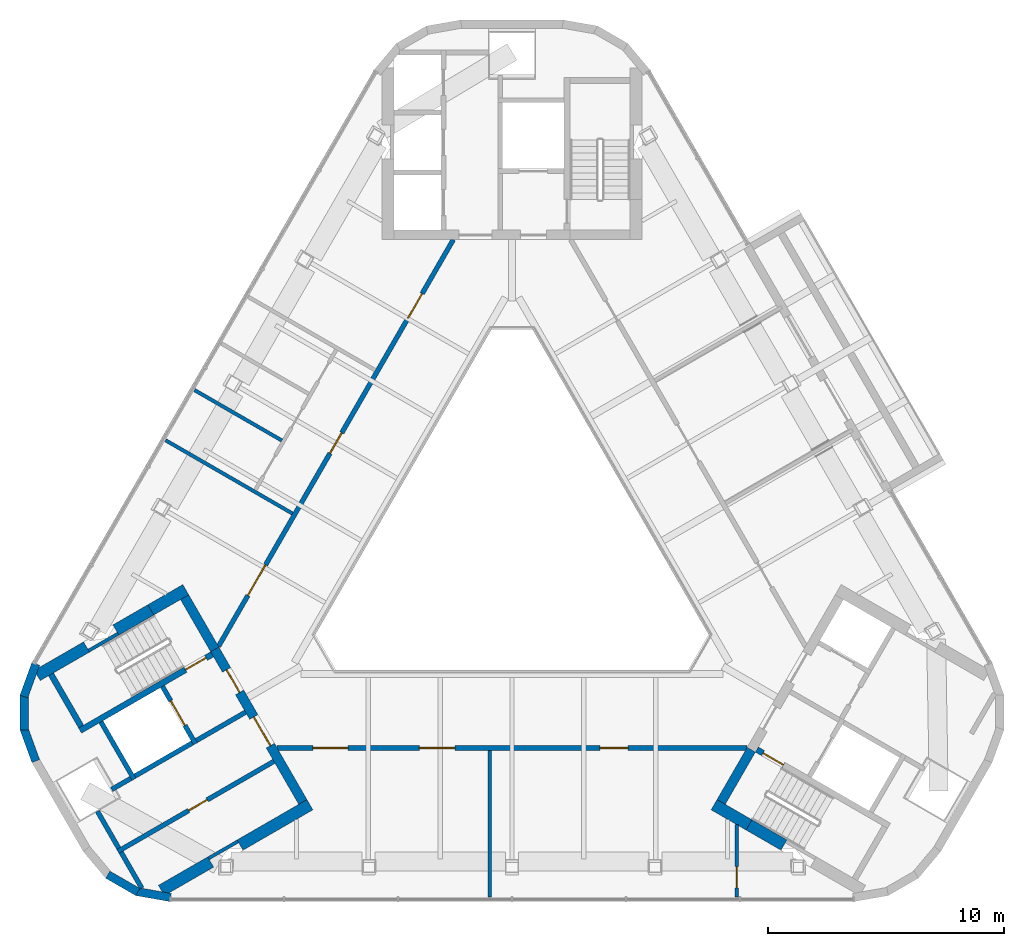
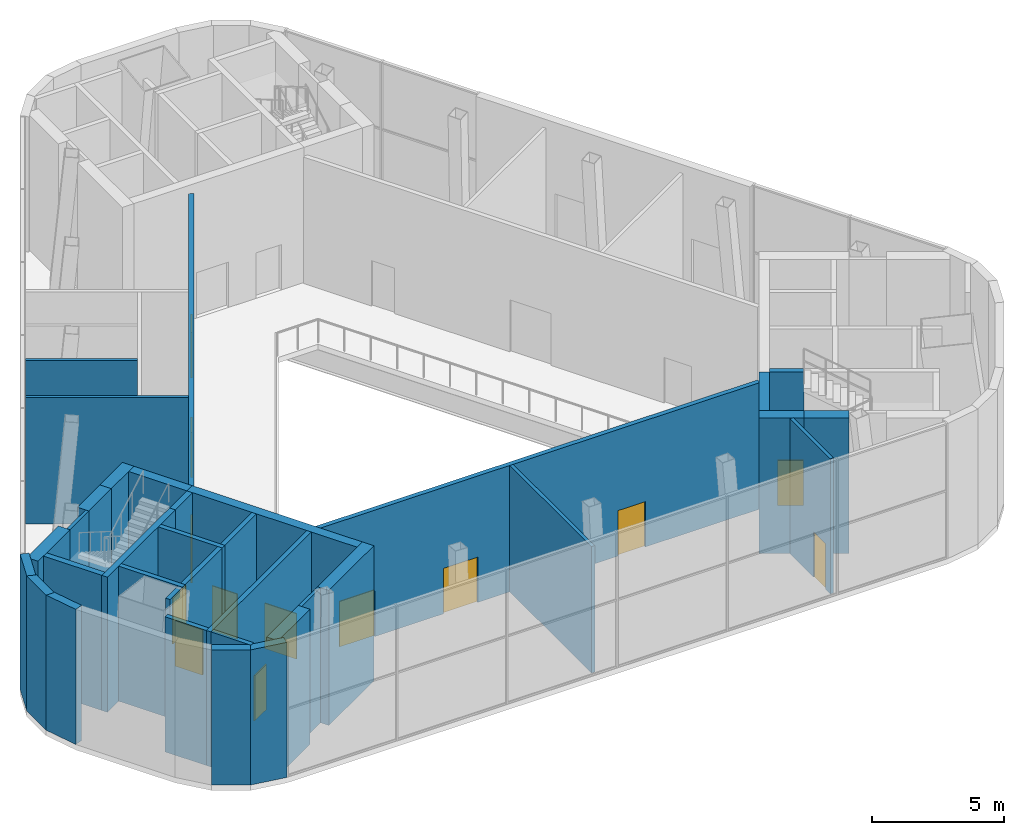
# One storey, part 7 of 12: 35 walls, 13 doors, 13 openings.
"""IFC4 building model written with IfcOpenShell, lengths in metres."""

from ifc_helpers import new_model, si_unit, direction, frame, frame_2d, origin, place, context, subcontext, project, spatial, rectangle, extrude, material, layer, layer_set, type_object, element, fill, save


model = new_model("IFC4")

# Units and contexts
model_context = context("Model", 3, precision=1e-05, world=origin(), true_north=direction((0.0, 1.0)))
body_context = subcontext(model_context, "Body", "Model", "MODEL_VIEW")
ifc_project = project(units=[si_unit("LENGTHUNIT", "METRE"), si_unit("AREAUNIT", "SQUARE_METRE"), si_unit("VOLUMEUNIT", "CUBIC_METRE"), si_unit("PLANEANGLEUNIT", "RADIAN"), si_unit("MASSUNIT", "GRAM", prefix="KILO")], contexts=[model_context])

# Site, building, storey
site_placement = place(None, origin())
site = spatial("IfcSite", under=ifc_project, at=site_placement, CompositionType="ELEMENT")
building_placement = place(site_placement, origin())
building = spatial("IfcBuilding", under=site, at=building_placement, Name="Apuvela Tower Hotel", CompositionType="ELEMENT")
storey_placement = place(building_placement, frame((0.0, 0.0, 331.800048828125)))
storey = spatial("IfcBuildingStorey", under=building, at=storey_placement, Name="L83", CompositionType="ELEMENT", Elevation=331.800048828125)

# Walls
ifc_material_1 = material(Name="Concrete C50/60", Category="concrete")
ifc_layer_1 = layer(ifc_material_1, 0.139892578125)
ifc_layer_set_1 = layer_set([ifc_layer_1], Name="COR-WALL-CORE-140")
wall_type_1 = type_object("IfcWallType", Name="COR-WALL-CORE-140", PredefinedType="SHEAR", material=ifc_layer_set_1)
for number, where, z_axis, x_axis, name in (
    (1, (-16.660400390625, -3.7646484375, 0.0), (0.0, 0.0, 1.0), (-0.866077922096, -0.499909024581, 0.0), "Core wall SW"),
    (2, (-11.59033203125, -12.546142578125, 0.0), (0.0, 0.0, 1.0), (-0.866077922096, -0.499909024581, 0.0), "Core wall SW"),
):
    element("IfcWall", number, at=place(storey_placement, frame(where, z_axis=z_axis, x_axis=x_axis)), inside=storey, type_object=wall_type_1, Name=name, PredefinedType="SHEAR", context=body_context, shape_type="SweptSolid", body=[
        extrude(rectangle(XDim=1.434814453125, YDim=0.139892578125, at=frame_2d((0.71728515625, 0.0))), origin(), (0.0, 0.0, 1.0), 6.25),
    ])
ifc_layer_2 = layer(ifc_material_1, 0.39990234375)
ifc_layer_set_2 = layer_set([ifc_layer_2], Name="COR-WALL-CORE-400")
wall_type_2 = type_object("IfcWallType", Name="COR-WALL-CORE-400", PredefinedType="SHEAR", material=ifc_layer_set_2)
wall_1_placement = place(storey_placement, frame((-13.844970703125, -2.219970703125, 0.0), z_axis=(0.0, 0.0, 1.0), x_axis=(0.500062241894, -0.865989465428, 0.0)))
element("IfcWall", 3, at=wall_1_placement, inside=storey, type_object=wall_type_2, Name="Core wall SW", PredefinedType="SHEAR", context=body_context, shape_type="SweptSolid", body=[
    extrude(rectangle(XDim=2.550048828125, YDim=0.39990234375, at=frame_2d((1.27490234375, 0.0))), origin(), (0.0, 0.0, 1.0), 6.25),
])

# Wall, openings, doors
wall_2_placement = place(storey_placement, frame((-12.56982421875, -4.42822265625, 0.0), z_axis=(0.0, 0.0, 1.0), x_axis=(0.499984378957, -0.86603442241, 0.0)))
wall_2 = element("IfcWall", 4, at=wall_2_placement, inside=storey, type_object=wall_type_2, Name="Core wall SW", PredefinedType="SHEAR", context=body_context, shape_type="SweptSolid", body=[
    extrude(rectangle(XDim=7.449951171875, YDim=0.39990234375, at=frame_2d((3.72509765625, 0.0))), origin(), (0.0, 0.0, 1.0), 6.25),
])
opening_1_placement = place(wall_2_placement, frame((1.0, 0.0, 0.0)))
opening_1 = element("IfcOpeningElement", 5, at=opening_1_placement, cuts=wall_2, Name="Opening W-FD", PredefinedType="OPENING", context=body_context, shape_type="SweptSolid", body=[
    extrude(rectangle(XDim=1.10009765625, YDim=2.10009765625, at=frame_2d((0.550048828125, 1.050048828125))), frame((0.0, 0.2099609375, 0.0), z_axis=(0.0, -1.0, 0.0), x_axis=(1.0, 0.0, 0.0)), (0.0, 0.0, 1.0), 0.419921875),
])
opening_2_placement = place(wall_2_placement, frame((3.300048828125, 0.0, 0.0)))
opening_2 = element("IfcOpeningElement", 6, at=opening_2_placement, cuts=wall_2, Name="Opening W-GD", PredefinedType="OPENING", context=body_context, shape_type="SweptSolid", body=[
    extrude(rectangle(XDim=1.39990234375, YDim=2.10009765625, at=frame_2d((0.699951171875, 1.050048828125))), frame((0.0, 0.2099609375, 0.0), z_axis=(0.0, -1.0, 0.0), x_axis=(1.0, 0.0, 0.0)), (0.0, 0.0, 1.0), 0.419921875),
])
ifc_material_2 = material(Name="Steel fire door, powder coated", Category="steel")
door_type_1 = type_object("IfcDoorType", Name="COR-FD-1100", OperationType="NOTDEFINED", PredefinedType="DOOR", material=ifc_material_2)
door_1_placement = place(opening_1_placement, frame((1.10009765625, 0.0, 0.0), z_axis=(0.0, 0.0, 1.0), x_axis=(-1.0, 0.0, 0.0)))
door_1 = element("IfcDoor", 7, at=door_1_placement, inside=storey, type_object=door_type_1, Name="Firefighting lobby door W-FD", OperationType="SINGLE_SWING_LEFT", OverallHeight=2.10009765625, OverallWidth=1.10009765625, PredefinedType="DOOR", context=body_context, shape_type="SweptSolid", body=[
    extrude(rectangle(XDim=1.10009765625, YDim=2.10009765625, at=frame_2d((0.550048828125, 1.050048828125))), frame((0.0, 0.02490234375, 0.0), z_axis=(0.0, -1.0, 0.0), x_axis=(1.0, 0.0, 0.0)), (0.0, 0.0, 1.0), 0.050048828125),
])
fill(opening_1, door_1)
ifc_material_3 = material(Name="Glazed steel fire door", Category="steel")
door_type_2 = type_object("IfcDoorType", Name="COR-GD-1400", OperationType="DOUBLE_DOOR_SINGLE_SWING", PredefinedType="DOOR", material=ifc_material_3)
door_2_placement = place(opening_2_placement, frame((1.39990234375, 0.0, 0.0), z_axis=(0.0, 0.0, 1.0), x_axis=(-1.0, 0.0, 0.0)))
door_2 = element("IfcDoor", 8, at=door_2_placement, inside=storey, type_object=door_type_2, Name="Lift lobby door W-GD", OperationType="DOUBLE_DOOR_SINGLE_SWING", OverallHeight=2.10009765625, OverallWidth=1.39990234375, PredefinedType="DOOR", context=body_context, shape_type="SweptSolid", body=[
    extrude(rectangle(XDim=1.39990234375, YDim=2.10009765625, at=frame_2d((0.699951171875, 1.050048828125))), frame((0.0, 0.02490234375, 0.0), z_axis=(0.0, -1.0, 0.0), x_axis=(1.0, 0.0, 0.0)), (0.0, 0.0, 1.0), 0.050048828125),
])
fill(opening_2, door_2)

# Walls
wall_3_placement = place(storey_placement, frame((8.844970703125, -10.880126953125, 0.0), z_axis=(0.0, 0.0, 1.0), x_axis=(0.499990435942, 0.866030925526, 0.0)))
element("IfcWall", 9, at=wall_3_placement, inside=storey, type_object=wall_type_2, Name="Core wall SE", PredefinedType="SHEAR", context=body_context, shape_type="SweptSolid", body=[
    extrude(rectangle(XDim=2.5498046875, YDim=0.39990234375, at=frame_2d((1.27490234375, 0.0))), origin(), (0.0, 0.0, 1.0), 6.25),
])
ifc_layer_3 = layer(ifc_material_1, 0.5)
ifc_layer_set_3 = layer_set([ifc_layer_3], Name="COR-WALL-CORE-500")
wall_type_3 = type_object("IfcWallType", Name="COR-WALL-CORE-500", PredefinedType="SHEAR", material=ifc_layer_set_3)
wall_4_placement = place(storey_placement, frame((-17.9931640625, -4.326171875, 0.0), z_axis=(0.0, 0.0, 1.0), x_axis=(-0.866030114221, -0.499991841196, 0.0)))
element("IfcWall", 10, at=wall_4_placement, inside=storey, type_object=wall_type_3, Name="Core wall SW", PredefinedType="SHEAR", context=body_context, shape_type="SweptSolid", body=[
    extrude(rectangle(XDim=2.40576171875, YDim=0.5, at=frame_2d((1.202880859375, 0.0))), origin(), (0.0, 0.0, 1.0), 6.25),
])
wall_5_placement = place(storey_placement, frame((-8.546630859375, -10.99658203125, 0.0), z_axis=(0.0, 0.0, 1.0), x_axis=(-0.866036589769, -0.499980624807, 0.0)))
element("IfcWall", 11, at=wall_5_placement, inside=storey, type_object=wall_type_3, Name="Core wall SW", PredefinedType="SHEAR", context=body_context, shape_type="SweptSolid", body=[
    extrude(rectangle(XDim=3.410888671875, YDim=0.5, at=frame_2d((1.70556640625, 0.0))), origin(), (0.0, 0.0, 1.0), 6.25),
])
wall_6_placement = place(storey_placement, frame((-12.742919921875, -13.41943359375, 0.0), z_axis=(0.0, 0.0, 1.0), x_axis=(-0.866055480043, -0.499947902773, 0.0)))
element("IfcWall", 12, at=wall_6_placement, inside=storey, type_object=wall_type_3, Name="Core wall SW", PredefinedType="SHEAR", context=body_context, shape_type="SweptSolid", body=[
    extrude(rectangle(XDim=2.406005859375, YDim=0.5, at=frame_2d((1.203125, 0.0))), origin(), (0.0, 0.0, 1.0), 6.25),
])
wall_7_placement = place(storey_placement, frame((-13.796630859375, -1.9033203125, 0.0), z_axis=(0.0, 0.0, 1.0), x_axis=(-0.866033076574, -0.499986710104, 0.0)))
element("IfcWall", 13, at=wall_7_placement, inside=storey, type_object=wall_type_3, Name="Core wall SW", PredefinedType="SHEAR", context=body_context, shape_type="SweptSolid", body=[
    extrude(rectangle(XDim=1.7060546875, YDim=0.5, at=frame_2d((0.85302734375, 0.0))), origin(), (0.0, 0.0, 1.0), 6.25),
])
wall_8_placement = place(storey_placement, frame((-15.274169921875, -2.75634765625, 0.0), z_axis=(0.0, 0.0, 1.0), x_axis=(-0.866040105854, -0.499974534403, 0.0)))
element("IfcWall", 14, at=wall_8_placement, inside=storey, type_object=wall_type_3, Name="Core wall SW", PredefinedType="SHEAR", context=body_context, shape_type="SweptSolid", body=[
    extrude(rectangle(XDim=1.70458984375, YDim=0.5, at=frame_2d((0.852294921875, 0.0))), origin(), (0.0, 0.0, 1.0), 6.25),
])
wall_9_placement = place(storey_placement, frame((8.546630859375, -10.99658203125, 0.0), z_axis=(0.0, 0.0, 1.0), x_axis=(0.866033076574, -0.499986710104, 0.0)))
element("IfcWall", 15, at=wall_9_placement, inside=storey, type_object=wall_type_3, Name="Core wall SE", PredefinedType="SHEAR", context=body_context, shape_type="SweptSolid", body=[
    extrude(rectangle(XDim=1.7060546875, YDim=0.5, at=frame_2d((0.85302734375, 0.0))), origin(), (0.0, 0.0, 1.0), 6.25),
])
wall_10_placement = place(storey_placement, frame((10.024169921875, -11.849609375, 0.0), z_axis=(0.0, 0.0, 1.0), x_axis=(0.866040105854, -0.499974534403, 0.0)))
element("IfcWall", 16, at=wall_10_placement, inside=storey, type_object=wall_type_3, Name="Core wall SE", PredefinedType="SHEAR", context=body_context, shape_type="SweptSolid", body=[
    extrude(rectangle(XDim=1.70458984375, YDim=0.5, at=frame_2d((0.852294921875, 0.0))), origin(), (0.0, 0.0, 1.0), 6.25),
])
ifc_layer_4 = layer(ifc_material_1, 0.199951171875)
ifc_layer_set_4 = layer_set([ifc_layer_4], Name="COR-WALL-SHAFT-200")
wall_type_4 = type_object("IfcWallType", Name="COR-WALL-SHAFT-200", PredefinedType="SHEAR", material=ifc_layer_set_4)
wall_11_placement = place(storey_placement, frame((-17.38134765625, -7.49462890625, 0.0), z_axis=(0.0, 0.0, 1.0), x_axis=(0.500011755427, -0.866018616679, 0.0)))
element("IfcWall", 17, at=wall_11_placement, inside=storey, type_object=wall_type_4, Name="Shaft wall SW", PredefinedType="SHEAR", context=body_context, shape_type="SweptSolid", body=[
    extrude(rectangle(XDim=2.80029296875, YDim=0.199951171875, at=frame_2d((1.400146484375, 0.0))), origin(), (0.0, 0.0, 1.0), 6.25),
])

# Wall, opening, door
wall_12_placement = place(storey_placement, frame((-14.783203125, -5.99462890625, 0.0), z_axis=(0.0, 0.0, 1.0), x_axis=(0.49994636267, -0.866056369097, 0.0)))
wall_12 = element("IfcWall", 18, at=wall_12_placement, inside=storey, type_object=wall_type_4, Name="Shaft wall SW", PredefinedType="SHEAR", context=body_context, shape_type="SweptSolid", body=[
    extrude(rectangle(XDim=2.800048828125, YDim=0.199951171875, at=frame_2d((1.39990234375, 0.0))), origin(), (0.0, 0.0, 1.0), 6.25),
])
opening_3_placement = place(wall_12_placement, frame((0.699951171875, 0.0, 0.0)))
opening_3 = element("IfcOpeningElement", 19, at=opening_3_placement, cuts=wall_12, Name="Opening W-LD-FS2", PredefinedType="OPENING", context=body_context, shape_type="SweptSolid", body=[
    extrude(rectangle(XDim=1.199951171875, YDim=2.10009765625, at=frame_2d((0.60009765625, 1.050048828125))), frame((0.0, 0.10986328125, 0.0), z_axis=(0.0, -1.0, 0.0), x_axis=(1.0, 0.0, 0.0)), (0.0, 0.0, 1.0), 0.219970703125),
])
ifc_material_4 = material(Name="Stainless steel lift landing door", Category="steel")
door_type_3 = type_object("IfcDoorType", Name="COR-LD-1200", OperationType="DOUBLE_DOOR_SLIDING", PredefinedType="DOOR", material=ifc_material_4)
door_3_placement = place(opening_3_placement, origin())
door_3 = element("IfcDoor", 20, at=door_3_placement, inside=storey, type_object=door_type_3, Name="Lift landing door W-LD-FS2", OperationType="DOUBLE_DOOR_SLIDING", OverallHeight=2.10009765625, OverallWidth=1.199951171875, PredefinedType="DOOR", context=body_context, shape_type="SweptSolid", body=[
    extrude(rectangle(XDim=1.199951171875, YDim=2.10009765625, at=frame_2d((0.60009765625, 1.050048828125))), frame((0.0, 0.02490234375, 0.0), z_axis=(0.0, -1.0, 0.0), x_axis=(1.0, 0.0, 0.0)), (0.0, 0.0, 1.0), 0.050048828125),
])
fill(opening_3, door_3)

# Walls
wall_13_placement = place(storey_placement, frame((-13.519775390625, -8.383056640625, 0.0), z_axis=(0.0, 0.0, 1.0), x_axis=(-0.866034573852, -0.49998411664, 0.0)))
element("IfcWall", 21, at=wall_13_placement, inside=storey, type_object=wall_type_4, Name="Shaft wall SW", PredefinedType="SHEAR", context=body_context, shape_type="SweptSolid", body=[
    extrude(rectangle(XDim=2.7998046875, YDim=0.199951171875, at=frame_2d((1.39990234375, 0.0))), origin(), (0.0, 0.0, 1.0), 6.25),
])
wall_14_placement = place(storey_placement, frame((-11.26806640625, -7.0830078125, 0.0), z_axis=(0.0, 0.0, 1.0), x_axis=(-0.866050077142, -0.499957262057, 0.0)))
element("IfcWall", 22, at=wall_14_placement, inside=storey, type_object=wall_type_4, Name="Shaft wall SW", PredefinedType="SHEAR", context=body_context, shape_type="SweptSolid", body=[
    extrude(rectangle(XDim=2.400146484375, YDim=0.199951171875, at=frame_2d((1.2001953125, 0.0))), origin(), (0.0, 0.0, 1.0), 6.25),
])

# Wall, opening, door
wall_15_placement = place(storey_placement, frame((-10.068115234375, -9.16162109375, 0.0), z_axis=(0.0, 0.0, 1.0), x_axis=(-0.866036194175, -0.49998131003, 0.0)))
wall_15 = element("IfcWall", 23, at=wall_15_placement, inside=storey, type_object=wall_type_4, Name="Shaft wall SW", PredefinedType="SHEAR", context=body_context, shape_type="SweptSolid", body=[
    extrude(rectangle(XDim=7.619873046875, YDim=0.199951171875, at=frame_2d((3.81005859375, 0.0))), origin(), (0.0, 0.0, 1.0), 6.25),
])
opening_4_placement = place(wall_15_placement, frame((3.260009765625, 0.0, 0.0)))
opening_4 = element("IfcOpeningElement", 24, at=opening_4_placement, cuts=wall_15, Name="Opening W-RE1", PredefinedType="OPENING", context=body_context, shape_type="SweptSolid", body=[
    extrude(rectangle(XDim=0.89990234375, YDim=2.10009765625, at=frame_2d((0.449951171875, 1.050048828125))), frame((0.0, 0.10986328125, 0.0), z_axis=(0.0, -1.0, 0.0), x_axis=(1.0, 0.0, 0.0)), (0.0, 0.0, 1.0), 0.219970703125),
])
door_type_4 = type_object("IfcDoorType", Name="COR-DR-900", OperationType="NOTDEFINED", PredefinedType="DOOR", material=ifc_material_2)
door_4_placement = place(opening_4_placement, origin())
door_4 = element("IfcDoor", 25, at=door_4_placement, inside=storey, type_object=door_type_4, Name="Store door W-RE1", OperationType="SINGLE_SWING_LEFT", OverallHeight=2.10009765625, OverallWidth=0.89990234375, PredefinedType="DOOR", context=body_context, shape_type="SweptSolid", body=[
    extrude(rectangle(XDim=0.89990234375, YDim=2.10009765625, at=frame_2d((0.449951171875, 1.050048828125))), frame((0.0, 0.02490234375, 0.0), z_axis=(0.0, -1.0, 0.0), x_axis=(1.0, 0.0, 0.0)), (0.0, 0.0, 1.0), 0.050048828125),
])
fill(opening_4, door_4)

# Walls
wall_16_placement = place(storey_placement, frame((-17.530517578125, -11.27587890625, 0.0), z_axis=(0.0, 0.0, 1.0), x_axis=(0.499902469156, -0.866081705922, 0.0)))
element("IfcWall", 26, at=wall_16_placement, inside=storey, type_object=wall_type_4, Name="Shaft wall SW", PredefinedType="SHEAR", context=body_context, shape_type="SweptSolid", body=[
    extrude(rectangle(XDim=1.800048828125, YDim=0.199951171875, at=frame_2d((0.89990234375, 0.0))), origin(), (0.0, 0.0, 1.0), 6.25),
])
wall_17_placement = place(storey_placement, frame((-16.117919921875, -9.883056640625, 0.0), z_axis=(0.0, 0.0, 1.0), x_axis=(-0.8660774803, -0.499909789979, 0.0)))
element("IfcWall", 27, at=wall_17_placement, inside=storey, type_object=wall_type_4, Name="Shaft wall SW", PredefinedType="SHEAR", context=body_context, shape_type="SweptSolid", body=[
    extrude(rectangle(XDim=0.940185546875, YDim=0.199951171875, at=frame_2d((0.47021484375, 0.0))), origin(), (0.0, 0.0, 1.0), 6.25),
])
wall_18_placement = place(storey_placement, frame((-16.530517578125, -13.008056640625, 0.0), z_axis=(0.0, 0.0, 1.0), x_axis=(0.499875430091, -0.86609731231, 0.0)))
element("IfcWall", 28, at=wall_18_placement, inside=storey, type_object=wall_type_4, Name="Shaft wall SW", PredefinedType="SHEAR", context=body_context, shape_type="SweptSolid", body=[
    extrude(rectangle(XDim=1.75, YDim=0.199951171875, at=frame_2d((0.875, 0.0))), origin(), (0.0, 0.0, 1.0), 6.25),
])
ifc_layer_5 = layer(ifc_material_1, 0.25)
ifc_layer_set_5 = layer_set([ifc_layer_5], Name="COR-WALL-STAIR-250")
wall_type_5 = type_object("IfcWallType", Name="COR-WALL-STAIR-250", PredefinedType="SHEAR", material=ifc_layer_set_5)
wall_19_placement = place(storey_placement, frame((-19.49560546875, -5.482421875, 0.0), z_axis=(0.0, 0.0, 1.0), x_axis=(0.499990435942, -0.866030925526, 0.0)))
element("IfcWall", 29, at=wall_19_placement, inside=storey, type_object=wall_type_5, Name="Stair wall SW", PredefinedType="SHEAR", context=body_context, shape_type="SweptSolid", body=[
    extrude(rectangle(XDim=2.5498046875, YDim=0.25, at=frame_2d((1.27490234375, 0.0))), origin(), (0.0, 0.0, 1.0), 6.25),
])

# Wall, opening, door
wall_20_placement = place(storey_placement, frame((-12.6806640625, -4.636474609375, 0.0), z_axis=(0.0, 0.0, 1.0), x_axis=(-0.86601437931, -0.500019094464, 0.0)))
wall_20 = element("IfcWall", 30, at=wall_20_placement, inside=storey, type_object=wall_type_5, Name="Stair wall SW", PredefinedType="SHEAR", context=body_context, shape_type="SweptSolid", body=[
    extrude(rectangle(XDim=1.30615234375, YDim=0.25, at=frame_2d((0.653076171875, 0.0))), origin(), (0.0, 0.0, 1.0), 6.25),
])
opening_5_placement = place(wall_20_placement, frame((0.300048828125, 0.0, 0.0)))
opening_5 = element("IfcOpeningElement", 31, at=opening_5_placement, cuts=wall_20, Name="Opening W-SD", PredefinedType="OPENING", context=body_context, shape_type="SweptSolid", body=[
    extrude(rectangle(XDim=1.0, YDim=2.10009765625, at=frame_2d((0.5, 1.050048828125))), frame((0.0, 0.135009765625, 0.0), z_axis=(0.0, -1.0, 0.0), x_axis=(1.0, 0.0, 0.0)), (0.0, 0.0, 1.0), 0.27001953125),
])
door_type_5 = type_object("IfcDoorType", Name="COR-SD-1000", OperationType="NOTDEFINED", PredefinedType="DOOR", material=ifc_material_2)
door_5_placement = place(opening_5_placement, frame((1.0, 0.0, 0.0), z_axis=(0.0, 0.0, 1.0), x_axis=(-1.0, 0.0, 0.0)))
door_5 = element("IfcDoor", 32, at=door_5_placement, inside=storey, type_object=door_type_5, Name="Stair door W-SD", OperationType="SINGLE_SWING_LEFT", OverallHeight=2.10009765625, OverallWidth=1.0, PredefinedType="DOOR", context=body_context, shape_type="SweptSolid", body=[
    extrude(rectangle(XDim=1.0, YDim=2.10009765625, at=frame_2d((0.5, 1.050048828125))), frame((0.0, 0.02490234375, 0.0), z_axis=(0.0, -1.0, 0.0), x_axis=(1.0, 0.0, 0.0)), (0.0, 0.0, 1.0), 0.050048828125),
])
fill(opening_5, door_5)

# Wall
wall_21_placement = place(storey_placement, frame((-13.811767578125, -5.28955078125, 0.0), z_axis=(0.0, 0.0, 1.0), x_axis=(-0.866023561601, -0.500003190742, 0.0)))
element("IfcWall", 33, at=wall_21_placement, inside=storey, type_object=wall_type_5, Name="Stair wall SW", PredefinedType="SHEAR", context=body_context, shape_type="SweptSolid", body=[
    extrude(rectangle(XDim=5.14404296875, YDim=0.25, at=frame_2d((2.572021484375, 0.0))), origin(), (0.0, 0.0, 1.0), 6.25),
])

# Wall, opening, door
wall_22_placement = place(storey_placement, frame((10.355712890625, -8.66357421875, 0.0), z_axis=(0.0, 0.0, 1.0), x_axis=(0.866095317631, -0.499878886109, 0.0)))
wall_22 = element("IfcWall", 34, at=wall_22_placement, inside=storey, type_object=wall_type_5, Name="Stair wall SE", PredefinedType="SHEAR", context=body_context, shape_type="SweptSolid", body=[
    extrude(rectangle(XDim=1.305908203125, YDim=0.25, at=frame_2d((0.65283203125, 0.0))), origin(), (0.0, 0.0, 1.0), 6.25),
])
opening_6_placement = place(wall_22_placement, frame((0.300048828125, 0.0, 0.0)))
opening_6 = element("IfcOpeningElement", 35, at=opening_6_placement, cuts=wall_22, Name="Opening E-SD", PredefinedType="OPENING", context=body_context, shape_type="SweptSolid", body=[
    extrude(rectangle(XDim=1.0, YDim=2.10009765625, at=frame_2d((0.5, 1.050048828125))), frame((0.0, 0.135009765625, 0.0), z_axis=(0.0, -1.0, 0.0), x_axis=(1.0, 0.0, 0.0)), (0.0, 0.0, 1.0), 0.27001953125),
])
door_6_placement = place(opening_6_placement, frame((1.0, 0.0, 0.0), z_axis=(0.0, 0.0, 1.0), x_axis=(-1.0, 0.0, 0.0)))
door_6 = element("IfcDoor", 36, at=door_6_placement, inside=storey, type_object=door_type_5, Name="Stair door E-SD", OperationType="SINGLE_SWING_LEFT", OverallHeight=2.10009765625, OverallWidth=1.0, PredefinedType="DOOR", context=body_context, shape_type="SweptSolid", body=[
    extrude(rectangle(XDim=1.0, YDim=2.10009765625, at=frame_2d((0.5, 1.050048828125))), frame((0.0, 0.02490234375, 0.0), z_axis=(0.0, -1.0, 0.0), x_axis=(1.0, 0.0, 0.0)), (0.0, 0.0, 1.0), 0.050048828125),
])
fill(opening_6, door_6)

# Walls
ifc_material_5 = material(Name="Concrete C40/50, dark pigmented precast panel", Category="concrete")
ifc_layer_6 = layer(ifc_material_5, 0.35009765625)
ifc_layer_set_6 = layer_set([ifc_layer_6], Name="ENV-WALL-350")
wall_type_6 = type_object("IfcWallType", Name="ENV-WALL-350", PredefinedType="SOLIDWALL", material=ifc_layer_set_6)
for number, where, z_axis, x_axis, name in (
    (37, (-20.140380859375, -5.042236328125, 0.0), (0.0, 0.0, 1.0), (-0.341943264121, -0.939720598967, 0.0), "External wall L83-08"),
    (38, (-20.632080078125, -6.362548828125, 0.0), (0.0, 0.0, 1.0), (0.0, -1.0, 0.0), "External wall L83-09"),
    (39, (-20.642578125, -7.771240234375, 0.0), (0.0, 0.0, 1.0), (0.341943264121, -0.939720598967, 0.0), "External wall L83-10"),
    (40, (-17.09814453125, -13.952392578125, 0.0), (0.0, 0.0, 1.0), (0.86602503688, -0.500000635496, 0.0), "External wall L83-13"),
):
    element("IfcWall", number, at=place(storey_placement, frame(where, z_axis=z_axis, x_axis=x_axis)), inside=storey, type_object=wall_type_6, Name=name, PredefinedType="SOLIDWALL", context=body_context, shape_type="SweptSolid", body=[
        extrude(rectangle(XDim=1.46875, YDim=0.35009765625, at=frame_2d((0.734375, 0.0))), origin(), (0.0, 0.0, 1.0), 6.25),
    ])
wall_23_placement = place(storey_placement, frame((-15.88330078125, -14.666015625, 0.0), z_axis=(0.0, 0.0, 1.0), x_axis=(0.984823698616, -0.173557721363, 0.0)))
element("IfcWall", 41, at=wall_23_placement, inside=storey, type_object=wall_type_6, Name="External wall L83-14", PredefinedType="SOLIDWALL", context=body_context, shape_type="SweptSolid", body=[
    extrude(rectangle(XDim=1.468505859375, YDim=0.35009765625, at=frame_2d((0.734375, 0.0))), origin(), (0.0, 0.0, 1.0), 6.25),
])

# Wall, openings, doors
ifc_material_6 = material(Name="Fire-rated gypsum board partition on steel stud", Category="steel")
ifc_layer_7 = layer(ifc_material_6, 0.199951171875)
ifc_layer_set_7 = layer_set([ifc_layer_7], Name="SPC-WALL-CORRIDOR")
wall_type_7 = type_object("IfcWallType", Name="SPC-WALL-CORRIDOR", PredefinedType="PARTITIONING", material=ifc_layer_set_7)
wall_24_placement = place(storey_placement, frame((-9.930419921875, -8.60009765625, 0.0), z_axis=(0.0, 0.0, 1.0), x_axis=(1.0, 0.0, 0.0)))
wall_24 = element("IfcWall", 42, at=wall_24_placement, inside=storey, type_object=wall_type_7, Name="Wall L83-S-CW", PredefinedType="PARTITIONING", context=body_context, shape_type="SweptSolid", body=[
    extrude(rectangle(XDim=19.86083984375, YDim=0.199951171875, at=frame_2d((9.930419921875, 0.0))), origin(), (0.0, 0.0, 1.0), 5.849853515625),
])
opening_7_placement = place(wall_24_placement, frame((1.50439453125, 0.0, 0.0)))
opening_7 = element("IfcOpeningElement", 43, at=opening_7_placement, cuts=wall_24, Name="Opening L83-S04", PredefinedType="OPENING", context=body_context, shape_type="SweptSolid", body=[
    extrude(rectangle(XDim=1.5, YDim=2.10009765625, at=frame_2d((0.75, 1.050048828125))), frame((0.0, 0.10986328125, 0.0), z_axis=(0.0, -1.0, 0.0), x_axis=(1.0, 0.0, 0.0)), (0.0, 0.0, 1.0), 0.219970703125),
])
opening_8_placement = place(wall_24_placement, frame((6.0126953125, 0.0, 0.0)))
opening_8 = element("IfcOpeningElement", 44, at=opening_8_placement, cuts=wall_24, Name="Opening L83-S05", PredefinedType="OPENING", context=body_context, shape_type="SweptSolid", body=[
    extrude(rectangle(XDim=1.5, YDim=2.10009765625, at=frame_2d((0.75, 1.050048828125))), frame((0.0, 0.10986328125, 0.0), z_axis=(0.0, -1.0, 0.0), x_axis=(1.0, 0.0, 0.0)), (0.0, 0.0, 1.0), 0.219970703125),
])
opening_9_placement = place(wall_24_placement, frame((13.64306640625, 0.0, 0.0)))
opening_9 = element("IfcOpeningElement", 45, at=opening_9_placement, cuts=wall_24, Name="Opening L83-S06", PredefinedType="OPENING", context=body_context, shape_type="SweptSolid", body=[
    extrude(rectangle(XDim=1.199951171875, YDim=2.10009765625, at=frame_2d((0.60009765625, 1.050048828125))), frame((0.0, 0.10986328125, 0.0), z_axis=(0.0, -1.0, 0.0), x_axis=(1.0, 0.0, 0.0)), (0.0, 0.0, 1.0), 0.219970703125),
])
ifc_material_7 = material(Name="Fire-rated hardwood veneer door leaf", Category="wood")
door_type_6 = type_object("IfcDoorType", Name="SPC-DOOR-1200-FD", OperationType="NOTDEFINED", PredefinedType="DOOR", material=ifc_material_7)
door_7_placement = place(opening_9_placement, origin())
door_7 = element("IfcDoor", 46, at=door_7_placement, inside=storey, type_object=door_type_6, Name="L83-S06", OperationType="SINGLE_SWING_LEFT", OverallHeight=2.10009765625, OverallWidth=1.199951171875, PredefinedType="DOOR", context=body_context, shape_type="SweptSolid", body=[
    extrude(rectangle(XDim=1.199951171875, YDim=2.10009765625, at=frame_2d((0.60009765625, 1.050048828125))), frame((0.0, 0.02490234375, 0.0), z_axis=(0.0, -1.0, 0.0), x_axis=(1.0, 0.0, 0.0)), (0.0, 0.0, 1.0), 0.050048828125),
])
fill(opening_9, door_7)
door_type_7 = type_object("IfcDoorType", Name="SPC-DOOR-1500-FD", OperationType="NOTDEFINED", PredefinedType="DOOR", material=ifc_material_7)
door_8_placement = place(opening_7_placement, origin())
door_8 = element("IfcDoor", 47, at=door_8_placement, inside=storey, type_object=door_type_7, Name="L83-S04", OperationType="DOUBLE_DOOR_SINGLE_SWING", OverallHeight=2.10009765625, OverallWidth=1.5, PredefinedType="DOOR", context=body_context, shape_type="SweptSolid", body=[
    extrude(rectangle(XDim=1.5, YDim=2.10009765625, at=frame_2d((0.75, 1.050048828125))), frame((0.0, 0.02490234375, 0.0), z_axis=(0.0, -1.0, 0.0), x_axis=(1.0, 0.0, 0.0)), (0.0, 0.0, 1.0), 0.050048828125),
])
fill(opening_7, door_8)
door_9_placement = place(opening_8_placement, origin())
door_9 = element("IfcDoor", 48, at=door_9_placement, inside=storey, type_object=door_type_7, Name="L83-S05", OperationType="DOUBLE_DOOR_SINGLE_SWING", OverallHeight=2.10009765625, OverallWidth=1.5, PredefinedType="DOOR", context=body_context, shape_type="SweptSolid", body=[
    extrude(rectangle(XDim=1.5, YDim=2.10009765625, at=frame_2d((0.75, 1.050048828125))), frame((0.0, 0.02490234375, 0.0), z_axis=(0.0, -1.0, 0.0), x_axis=(1.0, 0.0, 0.0)), (0.0, 0.0, 1.0), 0.050048828125),
])
fill(opening_8, door_9)

wall_25_placement = place(storey_placement, frame((-2.482421875, 12.900146484375, 0.0), z_axis=(0.0, 0.0, 1.0), x_axis=(-0.50000478328, -0.866022642139, 0.0)))
wall_25 = element("IfcWall", 49, at=wall_25_placement, inside=storey, type_object=wall_type_7, Name="Wall L83-NW-CW", PredefinedType="PARTITIONING", context=body_context, shape_type="SweptSolid", body=[
    extrude(rectangle(XDim=19.861083984375, YDim=0.199951171875, at=frame_2d((9.9306640625, 0.0))), origin(), (0.0, 0.0, 1.0), 5.849853515625),
])
opening_10_placement = place(wall_25_placement, frame((2.633544921875, 0.0, 0.0)))
opening_10 = element("IfcOpeningElement", 50, at=opening_10_placement, cuts=wall_25, Name="Opening L83-S08", PredefinedType="OPENING", context=body_context, shape_type="SweptSolid", body=[
    extrude(rectangle(XDim=1.199951171875, YDim=2.10009765625, at=frame_2d((0.60009765625, 1.050048828125))), frame((0.0, 0.10986328125, 0.0), z_axis=(0.0, -1.0, 0.0), x_axis=(1.0, 0.0, 0.0)), (0.0, 0.0, 1.0), 0.219970703125),
])
opening_11_placement = place(wall_25_placement, frame((15.87744140625, 0.0, 0.0)))
opening_11 = element("IfcOpeningElement", 51, at=opening_11_placement, cuts=wall_25, Name="Opening L83-S09", PredefinedType="OPENING", context=body_context, shape_type="SweptSolid", body=[
    extrude(rectangle(XDim=1.5, YDim=2.10009765625, at=frame_2d((0.75, 1.050048828125))), frame((0.0, 0.10986328125, 0.0), z_axis=(0.0, -1.0, 0.0), x_axis=(1.0, 0.0, 0.0)), (0.0, 0.0, 1.0), 0.219970703125),
])
opening_12_placement = place(wall_25_placement, frame((9.430419921875, 0.0, 0.0)))
opening_12 = element("IfcOpeningElement", 52, at=opening_12_placement, cuts=wall_25, Name="Opening L83-S11", PredefinedType="OPENING", context=body_context, shape_type="SweptSolid", body=[
    extrude(rectangle(XDim=1.0, YDim=2.10009765625, at=frame_2d((0.5, 1.050048828125))), frame((0.0, 0.10986328125, 0.0), z_axis=(0.0, -1.0, 0.0), x_axis=(1.0, 0.0, 0.0)), (0.0, 0.0, 1.0), 0.219970703125),
])
door_type_8 = type_object("IfcDoorType", Name="SPC-DOOR-1000-FD", OperationType="NOTDEFINED", PredefinedType="DOOR", material=ifc_material_7)
door_10_placement = place(opening_12_placement, frame((1.0, 0.0, 0.0), z_axis=(0.0, 0.0, 1.0), x_axis=(-1.0, 0.0, 0.0)))
door_10 = element("IfcDoor", 53, at=door_10_placement, inside=storey, type_object=door_type_8, Name="L83-S11", OperationType="SINGLE_SWING_RIGHT", OverallHeight=2.10009765625, OverallWidth=1.0, PredefinedType="DOOR", context=body_context, shape_type="SweptSolid", body=[
    extrude(rectangle(XDim=1.0, YDim=2.10009765625, at=frame_2d((0.5, 1.050048828125))), frame((0.0, 0.02490234375, 0.0), z_axis=(0.0, -1.0, 0.0), x_axis=(1.0, 0.0, 0.0)), (0.0, 0.0, 1.0), 0.050048828125),
])
fill(opening_12, door_10)
door_11_placement = place(opening_10_placement, frame((1.199951171875, 0.0, 0.0), z_axis=(0.0, 0.0, 1.0), x_axis=(-1.0, 0.0, 0.0)))
door_11 = element("IfcDoor", 54, at=door_11_placement, inside=storey, type_object=door_type_6, Name="L83-S08", OperationType="SINGLE_SWING_RIGHT", OverallHeight=2.10009765625, OverallWidth=1.199951171875, PredefinedType="DOOR", context=body_context, shape_type="SweptSolid", body=[
    extrude(rectangle(XDim=1.199951171875, YDim=2.10009765625, at=frame_2d((0.60009765625, 1.050048828125))), frame((0.0, 0.02490234375, 0.0), z_axis=(0.0, -1.0, 0.0), x_axis=(1.0, 0.0, 0.0)), (0.0, 0.0, 1.0), 0.050048828125),
])
fill(opening_10, door_11)
door_12_placement = place(opening_11_placement, origin())
door_12 = element("IfcDoor", 55, at=door_12_placement, inside=storey, type_object=door_type_7, Name="L83-S09", OperationType="DOUBLE_DOOR_SINGLE_SWING", OverallHeight=2.10009765625, OverallWidth=1.5, PredefinedType="DOOR", context=body_context, shape_type="SweptSolid", body=[
    extrude(rectangle(XDim=1.5, YDim=2.10009765625, at=frame_2d((0.75, 1.050048828125))), frame((0.0, 0.02490234375, 0.0), z_axis=(0.0, -1.0, 0.0), x_axis=(1.0, 0.0, 0.0)), (0.0, 0.0, 1.0), 0.050048828125),
])
fill(opening_11, door_12)

# Wall
ifc_material_8 = material(Name="Gypsum board partition on steel stud", Category="steel")
ifc_layer_8 = layer(ifc_material_8, 0.14990234375)
ifc_layer_set_8 = layer_set([ifc_layer_8], Name="SPC-WALL-PARTITION")
wall_type_8 = type_object("IfcWallType", Name="SPC-WALL-PARTITION", PredefinedType="PARTITIONING", material=ifc_layer_set_8)
wall_26_placement = place(storey_placement, frame((-0.949951171875, -14.893310546875, 0.0), z_axis=(0.0, 0.0, 1.0), x_axis=(0.0, 1.0, 0.0)))
element("IfcWall", 56, at=wall_26_placement, inside=storey, type_object=wall_type_8, Name="Wall L83-S-P01", PredefinedType="PARTITIONING", context=body_context, shape_type="SweptSolid", body=[
    extrude(rectangle(XDim=6.193359375, YDim=0.14990234375, at=frame_2d((3.0966796875, 0.0))), origin(), (0.0, 0.0, 1.0), 5.849853515625),
])

# Wall, opening, door
wall_27_placement = place(storey_placement, frame((9.5, -14.893310546875, 0.0), z_axis=(0.0, 0.0, 1.0), x_axis=(0.0, 1.0, 0.0)))
wall_27 = element("IfcWall", 57, at=wall_27_placement, inside=storey, type_object=wall_type_8, Name="Wall L83-S-P02", PredefinedType="PARTITIONING", context=body_context, shape_type="SweptSolid", body=[
    extrude(rectangle(XDim=3.0576171875, YDim=0.14990234375, at=frame_2d((1.52880859375, 0.0))), origin(), (0.0, 0.0, 1.0), 6.25),
])
opening_13_placement = place(wall_27_placement, frame((0.37890625, 0.0, 0.0)))
opening_13 = element("IfcOpeningElement", 58, at=opening_13_placement, cuts=wall_27, Name="Opening L83-S07", PredefinedType="OPENING", context=body_context, shape_type="SweptSolid", body=[
    extrude(rectangle(XDim=0.89990234375, YDim=2.10009765625, at=frame_2d((0.449951171875, 1.050048828125))), frame((0.0, 0.0849609375, 0.0), z_axis=(0.0, -1.0, 0.0), x_axis=(1.0, 0.0, 0.0)), (0.0, 0.0, 1.0), 0.169921875),
])
ifc_material_9 = material(Name="Hardwood veneer door leaf", Category="wood")
door_type_9 = type_object("IfcDoorType", Name="SPC-DOOR-900", OperationType="NOTDEFINED", PredefinedType="DOOR", material=ifc_material_9)
door_13_placement = place(opening_13_placement, frame((0.89990234375, 0.0, 0.0), z_axis=(0.0, 0.0, 1.0), x_axis=(-1.0, 0.0, 0.0)))
door_13 = element("IfcDoor", 59, at=door_13_placement, inside=storey, type_object=door_type_9, Name="L83-S07", OperationType="SINGLE_SWING_RIGHT", OverallHeight=2.10009765625, OverallWidth=0.89990234375, PredefinedType="DOOR", context=body_context, shape_type="SweptSolid", body=[
    extrude(rectangle(XDim=0.89990234375, YDim=2.10009765625, at=frame_2d((0.449951171875, 1.050048828125))), frame((0.0, 0.02490234375, 0.0), z_axis=(0.0, -1.0, 0.0), x_axis=(1.0, 0.0, 0.0)), (0.0, 0.0, 1.0), 0.050048828125),
])
fill(opening_13, door_13)

# Walls
wall_28_placement = place(storey_placement, frame((-13.423095703125, 6.537353515625, 0.0), z_axis=(0.0, 0.0, 1.0), x_axis=(0.866037676697, -0.499978742089, 0.0)))
element("IfcWall", 60, at=wall_28_placement, inside=storey, type_object=wall_type_8, Name="Wall L83-NW-P04", PredefinedType="PARTITIONING", context=body_context, shape_type="SweptSolid", body=[
    extrude(rectangle(XDim=4.260498046875, YDim=0.14990234375, at=frame_2d((2.13037109375, 0.0))), origin(), (0.0, 0.0, 1.0), 5.849853515625),
])
wall_29_placement = place(storey_placement, frame((-14.64794921875, 4.41552734375, 0.0), z_axis=(0.0, 0.0, 1.0), x_axis=(0.866022127522, -0.500005674609, 0.0)))
element("IfcWall", 61, at=wall_29_placement, inside=storey, type_object=wall_type_8, Name="Wall L83-NW-P05", PredefinedType="PARTITIONING", context=body_context, shape_type="SweptSolid", body=[
    extrude(rectangle(XDim=6.193359375, YDim=0.14990234375, at=frame_2d((3.0966796875, 0.0))), origin(), (0.0, 0.0, 1.0), 5.849853515625),
])

save(model, "model.ifc")
